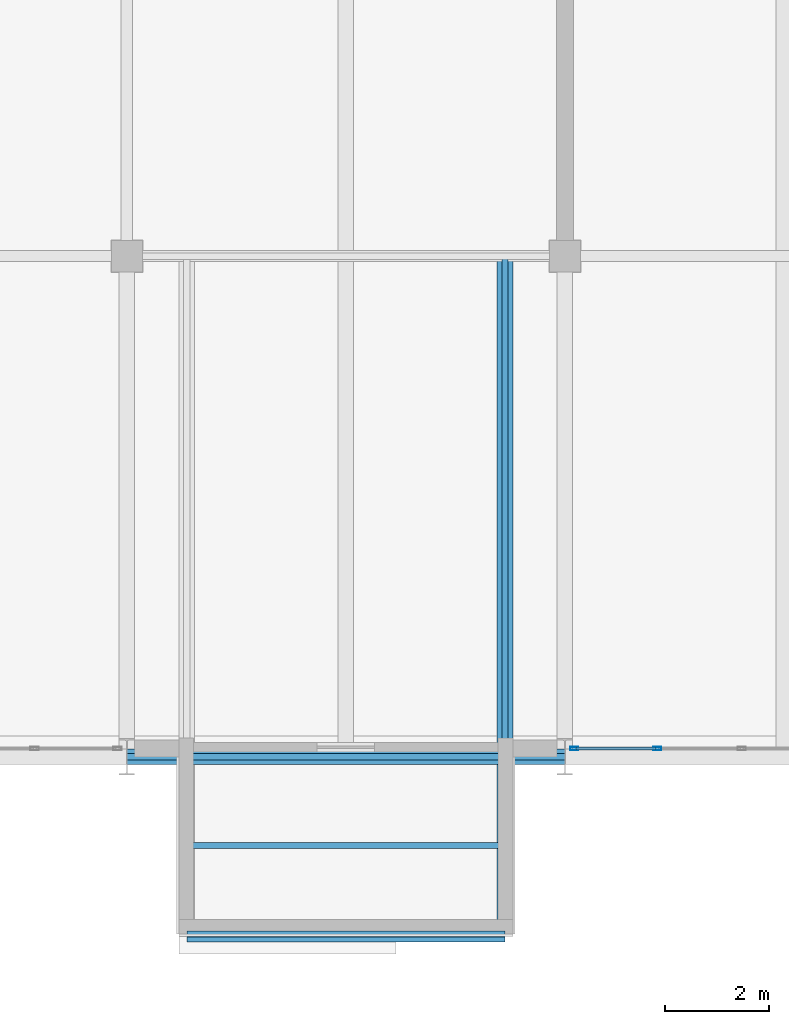
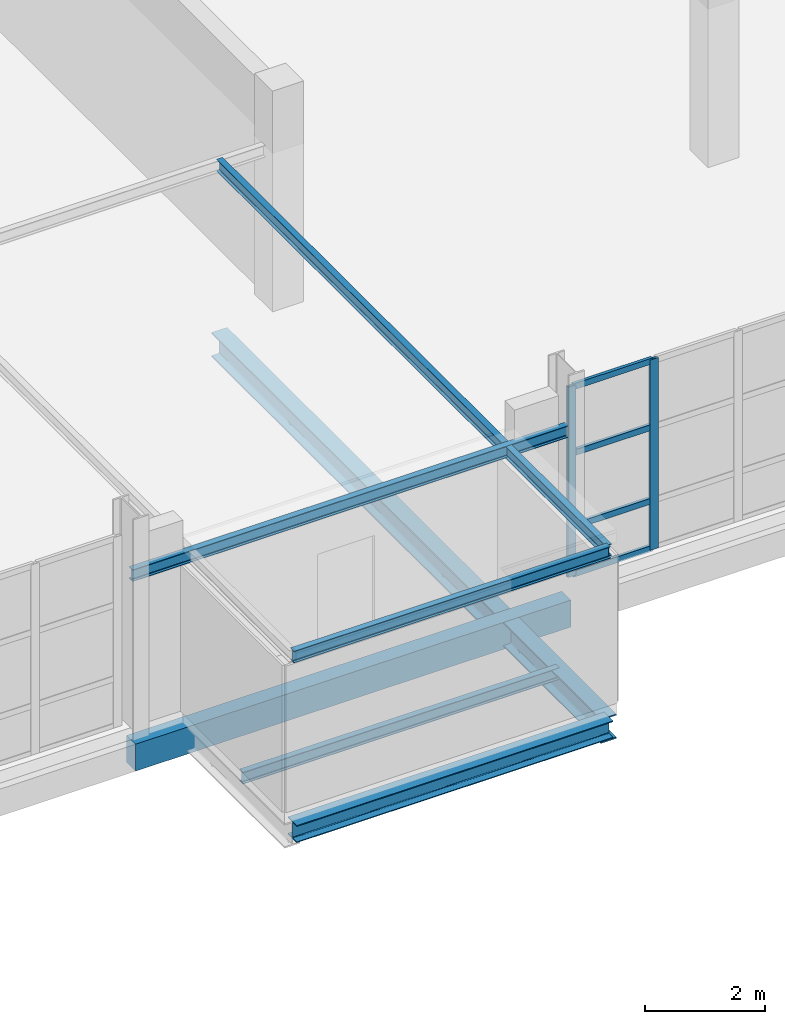
# One storey, part 35 of 113: 7 beams, 6 members, 1 element without a shape of its own.
"""IFC4 building model written with IfcOpenShell, lengths in metres."""

from ifc_helpers import new_model, si_unit, direction, frame, origin, origin_2d, place, context, subcontext, project, spatial, rectangle, hollow_rectangle, i_section, extrude, material, material_profile, profile_set, type_object, element, aggregate, save


model = new_model("IFC4")

# Units and contexts
model_context = context("Model", 3, precision=1e-05, world=origin(), true_north=direction((0.0, 1.0)))
body_context = subcontext(model_context, "Body", "Model", "MODEL_VIEW")
ifc_project = project(units=[si_unit("LENGTHUNIT", "METRE"), si_unit("AREAUNIT", "SQUARE_METRE"), si_unit("VOLUMEUNIT", "CUBIC_METRE"), si_unit("PLANEANGLEUNIT", "RADIAN"), si_unit("MASSUNIT", "GRAM", prefix="KILO")], contexts=[model_context])

# Site, building, storey
site_placement = place(None, origin())
site = spatial("IfcSite", under=ifc_project, at=site_placement, CompositionType="ELEMENT")
building_placement = place(site_placement, origin())
building = spatial("IfcBuilding", under=site, at=building_placement, Name="Veltarok Museum of Natural Sciences", CompositionType="ELEMENT")
storey_placement = place(building_placement, frame((0.0, 0.0, 8.39990234375)))
storey = spatial("IfcBuildingStorey", under=building, at=storey_placement, Name="L01", CompositionType="ELEMENT", Elevation=8.39990234375)

# Beams
ifc_material_1 = material(Name="Steel S355J2", Category="steel")
ifc_material_profile_1 = material_profile(ifc_material_1, i_section(OverallWidth=0.300048828125, OverallDepth=0.5, WebThickness=0.014404296875, FlangeThickness=0.028076171875, FilletRadius=0.027099609375, at=origin_2d()), Name="HEB 500")
ifc_profile_set_1 = profile_set([ifc_material_profile_1], Name="Steel S355J2")
beam_type_1 = type_object("IfcBeamType", Name="Cabinet Box Cantilever Girder HEB 500", PredefinedType="BEAM", material=ifc_profile_set_1)
beam_1_placement = place(storey_placement, frame((131.25, -3.39990234375, -0.5), z_axis=(0.0, 1.0, 0.0), x_axis=(-1.0, 0.0, 0.0)))
element("IfcBeam", 1, at=beam_1_placement, inside=storey, type_object=beam_type_1, Name="Cabinet Cantilever Girder DB-06-2", PredefinedType="BEAM", context=body_context, shape_type="SweptSolid", body=[
    extrude(i_section(OverallWidth=0.300048828125, OverallDepth=0.5, WebThickness=0.014404296875, FlangeThickness=0.028076171875, FilletRadius=0.027099609375, at=origin_2d()), origin(), (0.0, 0.0, 1.0), 13.0),
])
ifc_material_profile_2 = material_profile(ifc_material_1, i_section(OverallWidth=0.1201171875, OverallDepth=0.239990234375, WebThickness=0.006103515625, FlangeThickness=0.009765625, FilletRadius=0.014892578125, at=origin_2d()), Name="IPE 240")
ifc_profile_set_2 = profile_set([ifc_material_profile_2], Name="Steel S355J2")
beam_type_2 = type_object("IfcBeamType", Name="Cabinet Box Secondary Joist IPE 240", PredefinedType="JOIST", material=ifc_profile_set_2)
beam_2_placement = place(storey_placement, frame((131.25, -3.39990234375, 3.130126953125), z_axis=(0.0, 1.0, 0.0), x_axis=(-1.0, 0.0, 0.0)))
element("IfcBeam", 2, at=beam_2_placement, inside=storey, type_object=beam_type_2, Name="Cabinet Roof Rafter DB-06-2", PredefinedType="JOIST", context=body_context, shape_type="SweptSolid", body=[
    extrude(i_section(OverallWidth=0.1201171875, OverallDepth=0.239990234375, WebThickness=0.006103515625, FlangeThickness=0.009765625, FilletRadius=0.014892578125, at=origin_2d()), origin(), (0.0, 0.0, 1.0), 13.0),
])
beam_3_placement = place(storey_placement, frame((124.0, 0.0, 3.130126953125), z_axis=(1.0, 0.0, 0.0), x_axis=(0.0, 1.0, 0.0)))
element("IfcBeam", 3, at=beam_3_placement, inside=storey, type_object=beam_type_2, Name="Cabinet Roof Tie Beam DB-06-P", PredefinedType="JOIST", context=body_context, shape_type="SweptSolid", body=[
    extrude(i_section(OverallWidth=0.1201171875, OverallDepth=0.239990234375, WebThickness=0.006103515625, FlangeThickness=0.009765625, FilletRadius=0.014892578125, at=origin_2d()), origin(), (0.0, 0.0, 1.0), 8.39990234375),
])
for number, where, z_axis, x_axis, name in (
    (4, (125.14990234375, -3.39990234375, 3.130126953125), (1.0, 0.0, 0.0), (0.0, 1.0, 0.0), "Cabinet Roof Tip Header DB-06"),
    (5, (125.14990234375, -1.699951171875, -0.369873046875), (1.0, 0.0, 0.0), (0.0, 1.0, 0.0), "Cabinet Box Joist DB-06"),
):
    element("IfcBeam", number, at=place(storey_placement, frame(where, z_axis=z_axis, x_axis=x_axis)), inside=storey, type_object=beam_type_2, Name=name, PredefinedType="JOIST", context=body_context, shape_type="SweptSolid", body=[
        extrude(i_section(OverallWidth=0.1201171875, OverallDepth=0.239990234375, WebThickness=0.006103515625, FlangeThickness=0.009765625, FilletRadius=0.014892578125, at=origin_2d()), origin(), (0.0, 0.0, 1.0), 6.10009765625),
    ])
ifc_material_profile_3 = material_profile(ifc_material_1, i_section(OverallWidth=0.300048828125, OverallDepth=0.35009765625, WebThickness=0.010009765625, FlangeThickness=0.017578125, FilletRadius=0.027099609375, at=origin_2d()), Name="HEA 360")
ifc_profile_set_3 = profile_set([ifc_material_profile_3], Name="Steel S355J2")
beam_type_3 = type_object("IfcBeamType", Name="Cabinet Box Tip Header HEA 360", PredefinedType="BEAM", material=ifc_profile_set_3)
beam_4_placement = place(storey_placement, frame((125.14990234375, -3.39990234375, -0.4248046875), z_axis=(1.0, 0.0, 0.0), x_axis=(0.0, 1.0, 0.0)))
element("IfcBeam", 6, at=beam_4_placement, inside=storey, type_object=beam_type_3, Name="Cabinet Tip Header DB-06", PredefinedType="BEAM", context=body_context, shape_type="SweptSolid", body=[
    extrude(i_section(OverallWidth=0.300048828125, OverallDepth=0.35009765625, WebThickness=0.010009765625, FlangeThickness=0.017578125, FilletRadius=0.027099609375, at=origin_2d()), origin(), (0.0, 0.0, 1.0), 6.10009765625),
])

# Curtain wall, members
ifc_material_2 = material(Name="Low-iron triple insulated glass", Category="glass")
curtain_wall_type = type_object("IfcCurtainWallType", Name="Curtain Wall System CW-V5S-L01-16-810x388 (V5 South Lab Curtain Wall L01 16-17 810x388cm)", PredefinedType="NOTDEFINED", material=ifc_material_2)
curtain_wall_placement = place(storey_placement, origin())
curtain_wall = element("IfcCurtainWall", 7, at=curtain_wall_placement, inside=storey, type_object=curtain_wall_type, Name="Curtain Wall CW-V5S-L01-16-810x388 CW-0090", PredefinedType="NOTDEFINED")
ifc_material_3 = material(Name="Thermally broken anodised aluminium", Category="aluminium")
ifc_material_profile_4 = material_profile(ifc_material_3, hollow_rectangle(XDim=0.06005859375, YDim=0.1201171875, WallThickness=0.0048828125, at=origin_2d()), Name="CW TRANSOM 60x120x5")
ifc_profile_set_4 = profile_set([ifc_material_profile_4], Name="Thermally broken anodised aluminium")
member_type_1 = type_object("IfcMemberType", Name="Curtain Wall Horizontal Transom 60x120x5", PredefinedType="USERDEFINED", material=ifc_profile_set_4)
member_1_placement = place(storey_placement, frame((132.610107421875, 0.159912109375, 0.030029296875), z_axis=(1.0, 0.0, 0.0), x_axis=(0.0, 1.0, 0.0)))
member_1 = element("IfcMember", 8, at=member_1_placement, type_object=member_type_1, Name="CW-V5S-L01-16-810x388 transom 1.1", ObjectType="TRANSOM", PredefinedType="USERDEFINED", context=body_context, shape_type="SweptSolid", body=[
    extrude(hollow_rectangle(XDim=0.06005859375, YDim=0.1201171875, WallThickness=0.0048828125, at=origin_2d()), origin(), (0.0, 0.0, 1.0), 1.52978515625),
])
member_2_placement = place(storey_placement, frame((132.610107421875, 0.159912109375, 1.0), z_axis=(1.0, 0.0, 0.0), x_axis=(0.0, 1.0, 0.0)))
member_2 = element("IfcMember", 9, at=member_2_placement, type_object=member_type_1, Name="CW-V5S-L01-16-810x388 transom 1.2", ObjectType="TRANSOM", PredefinedType="USERDEFINED", context=body_context, shape_type="SweptSolid", body=[
    extrude(hollow_rectangle(XDim=0.06005859375, YDim=0.1201171875, WallThickness=0.0048828125, at=origin_2d()), origin(), (0.0, 0.0, 1.0), 1.52978515625),
])
member_3_placement = place(storey_placement, frame((132.610107421875, 0.159912109375, 2.5), z_axis=(1.0, 0.0, 0.0), x_axis=(0.0, 1.0, 0.0)))
member_3 = element("IfcMember", 10, at=member_3_placement, type_object=member_type_1, Name="CW-V5S-L01-16-810x388 transom 1.3", ObjectType="TRANSOM", PredefinedType="USERDEFINED", context=body_context, shape_type="SweptSolid", body=[
    extrude(hollow_rectangle(XDim=0.06005859375, YDim=0.1201171875, WallThickness=0.0048828125, at=origin_2d()), origin(), (0.0, 0.0, 1.0), 1.52978515625),
])
member_4_placement = place(storey_placement, frame((132.610107421875, 0.159912109375, 3.85009765625), z_axis=(1.0, 0.0, 0.0), x_axis=(0.0, 1.0, 0.0)))
member_4 = element("IfcMember", 11, at=member_4_placement, type_object=member_type_1, Name="CW-V5S-L01-16-810x388 transom 1.4", ObjectType="TRANSOM", PredefinedType="USERDEFINED", context=body_context, shape_type="SweptSolid", body=[
    extrude(hollow_rectangle(XDim=0.06005859375, YDim=0.1201171875, WallThickness=0.0048828125, at=origin_2d()), origin(), (0.0, 0.0, 1.0), 1.52978515625),
])
ifc_material_profile_5 = material_profile(ifc_material_3, hollow_rectangle(XDim=0.06005859375, YDim=0.159912109375, WallThickness=0.0048828125, at=origin_2d()), Name="CW MULLION 60x160x5")
ifc_profile_set_5 = profile_set([ifc_material_profile_5], Name="Thermally broken anodised aluminium")
member_type_2 = type_object("IfcMemberType", Name="Curtain Wall Vertical Mullion 60x160x5", PredefinedType="MULLION", material=ifc_profile_set_5)
member_5_placement = place(storey_placement, frame((132.580078125, 0.159912109375, 0.0), z_axis=(0.0, 0.0, 1.0), x_axis=(0.0, 1.0, 0.0)))
member_5 = element("IfcMember", 12, at=member_5_placement, type_object=member_type_2, Name="CW-V5S-L01-16-810x388 mullion 1", PredefinedType="MULLION", context=body_context, shape_type="SweptSolid", body=[
    extrude(hollow_rectangle(XDim=0.06005859375, YDim=0.159912109375, WallThickness=0.0048828125, at=origin_2d()), origin(), (0.0, 0.0, 1.0), 3.880126953125),
])
member_6_placement = place(storey_placement, frame((134.169921875, 0.159912109375, 0.0), z_axis=(0.0, 0.0, 1.0), x_axis=(0.0, 1.0, 0.0)))
member_6 = element("IfcMember", 13, at=member_6_placement, type_object=member_type_2, Name="CW-V5S-L01-16-810x388 mullion 2", PredefinedType="MULLION", context=body_context, shape_type="SweptSolid", body=[
    extrude(hollow_rectangle(XDim=0.06005859375, YDim=0.159912109375, WallThickness=0.0048828125, at=origin_2d()), origin(), (0.0, 0.0, 1.0), 3.880126953125),
])
aggregate(curtain_wall, [member_5, member_6, member_1, member_2, member_3, member_4])

# Beam
ifc_material_4 = material(Name="Precast concrete C40/50", Category="concrete")
ifc_material_profile_6 = material_profile(ifc_material_4, rectangle(XDim=0.300048828125, YDim=0.550048828125, at=origin_2d()), Name="RC 300x550")
ifc_profile_set_6 = profile_set([ifc_material_profile_6], Name="Precast concrete C40/50")
beam_type_4 = type_object("IfcBeamType", Name="East Wing Precast Spandrel RC 300x550", PredefinedType="SPANDREL", material=ifc_profile_set_6)
beam_5_placement = place(storey_placement, frame((124.0, 0.0, -0.52490234375), z_axis=(1.0, 0.0, 0.0), x_axis=(0.0, 1.0, 0.0)))
element("IfcBeam", 14, at=beam_5_placement, inside=storey, type_object=beam_type_4, Name="Beam BM-SP02 L01 15-16/A", PredefinedType="SPANDREL", context=body_context, shape_type="SweptSolid", body=[
    extrude(rectangle(XDim=0.300048828125, YDim=0.550048828125, at=origin_2d()), origin(), (0.0, 0.0, 1.0), 8.39990234375),
])

save(model, "model.ifc")
